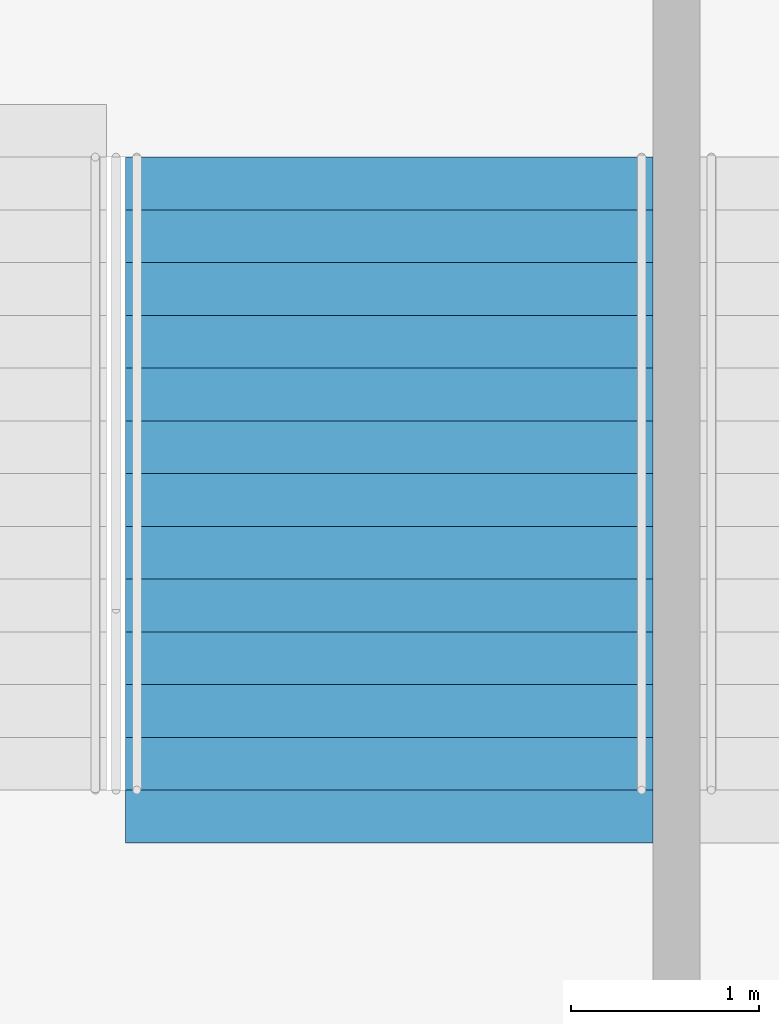
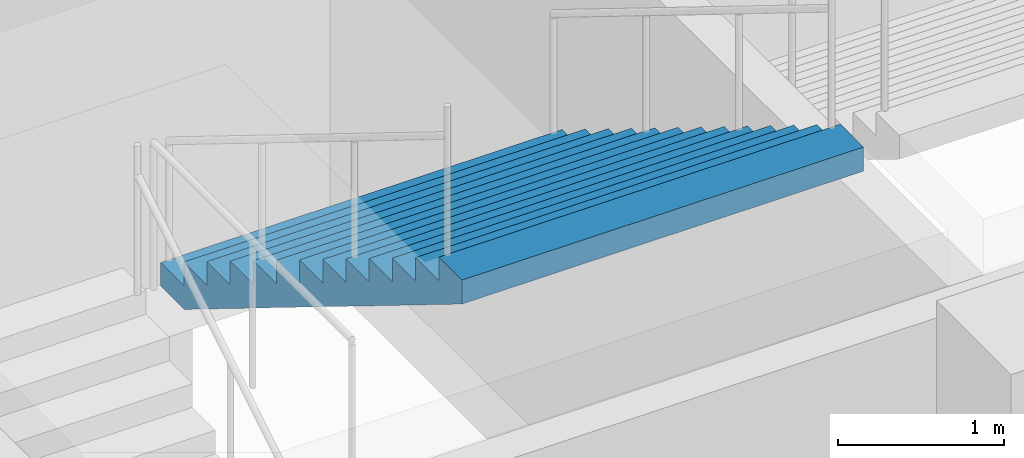
# One storey, part 208 of 249: 1 stair flight, 1 element without a shape of its own.
"""IFC4 building model written with IfcOpenShell, lengths in metres."""

from ifc_helpers import new_model, si_unit, direction, frame, origin, place, context, subcontext, project, spatial, faceted_brep, material, type_object, element, aggregate, save


model = new_model("IFC4")

# Units and contexts
model_context = context("Model", 3, precision=1e-05, world=origin(), true_north=direction((0.0, 1.0)))
body_context = subcontext(model_context, "Body", "Model", "MODEL_VIEW")
ifc_project = project(units=[si_unit("LENGTHUNIT", "METRE"), si_unit("AREAUNIT", "SQUARE_METRE"), si_unit("VOLUMEUNIT", "CUBIC_METRE"), si_unit("PLANEANGLEUNIT", "RADIAN"), si_unit("MASSUNIT", "GRAM", prefix="KILO")], contexts=[model_context])

# Site, building, storey
site_placement = place(None, origin())
site = spatial("IfcSite", under=ifc_project, at=site_placement, CompositionType="ELEMENT")
building_placement = place(site_placement, origin())
building = spatial("IfcBuilding", under=site, at=building_placement, Name="Ogive Plaza Stadium", CompositionType="ELEMENT")
storey_placement = place(building_placement, frame((0.0, 0.0, 13.5)))
storey = spatial("IfcBuildingStorey", under=building, at=storey_placement, Name="L03", CompositionType="ELEMENT", Elevation=13.5)

# Stair, stair flight
ifc_material_1 = material(Name="Concrete C40/50", Category="concrete")
stair_type = type_object("IfcStairType", Name="Exit stair", PredefinedType="STRAIGHT_RUN_STAIR", material=ifc_material_1)
stair_placement = place(storey_placement, origin())
stair = element("IfcStair", 1, at=stair_placement, inside=storey, type_object=stair_type, Name="Exit stair ST32B L03 to L04", PredefinedType="STRAIGHT_RUN_STAIR")
ifc_material_2 = material(Name="Concrete C40/50", Category="concrete")
stair_flight_type = type_object("IfcStairFlightType", Name="Exit stair flight", PredefinedType="STRAIGHT", material=ifc_material_2)
stair_flight_placement = place(storey_placement, frame((-35.52490234375, 98.2099609375, 2.25), z_axis=(0.0, 0.0, 1.0), x_axis=(0.0, -1.0, 0.0)))
stair_flight = element("IfcStairFlight", 2, at=stair_flight_placement, type_object=stair_flight_type, Name="ST32B flight 2", NumberOfRisers=13, NumberOfTreads=12, PredefinedType="STRAIGHT", RiserHeight=0.173076923, TreadLength=0.28, context=body_context, shape_type="Brep", body=[
    faceted_brep([(0.28515625, -1.39990234375, 0.0), (3.639892578125, -1.39990234375, 2.07373046875), (3.639892578125, -1.39990234375, 2.25), (3.360107421875, -1.39990234375, 2.25), (3.360107421875, -1.39990234375, 2.076904296875), (3.080078125, -1.39990234375, 2.076904296875), (3.080078125, -1.39990234375, 1.90380859375), (2.800048828125, -1.39990234375, 1.90380859375), (2.800048828125, -1.39990234375, 1.730712890625), (2.52001953125, -1.39990234375, 1.730712890625), (2.52001953125, -1.39990234375, 1.5576171875), (2.239990234375, -1.39990234375, 1.5576171875), (2.239990234375, -1.39990234375, 1.384521484375), (1.9599609375, -1.39990234375, 1.384521484375), (1.9599609375, -1.39990234375, 1.21142578125), (1.679931640625, -1.39990234375, 1.21142578125), (1.679931640625, -1.39990234375, 1.03857421875), (1.39990234375, -1.39990234375, 1.03857421875), (1.39990234375, -1.39990234375, 0.865478515625), (1.1201171875, -1.39990234375, 0.865478515625), (1.1201171875, -1.39990234375, 0.6923828125), (0.840087890625, -1.39990234375, 0.6923828125), (0.840087890625, -1.39990234375, 0.519287109375), (0.56005859375, -1.39990234375, 0.519287109375), (0.56005859375, -1.39990234375, 0.34619140625), (0.280029296875, -1.39990234375, 0.34619140625), (0.280029296875, -1.39990234375, 0.173095703125), (0.0, -1.39990234375, 0.173095703125), (0.0, -1.39990234375, 0.0), (0.0, 1.39990234375, 0.0), (0.0, 1.39990234375, 0.173095703125), (0.280029296875, 1.39990234375, 0.173095703125), (0.280029296875, 1.39990234375, 0.34619140625), (0.56005859375, 1.39990234375, 0.34619140625), (0.56005859375, 1.39990234375, 0.519287109375), (0.840087890625, 1.39990234375, 0.519287109375), (0.840087890625, 1.39990234375, 0.6923828125), (1.1201171875, 1.39990234375, 0.6923828125), (1.1201171875, 1.39990234375, 0.865478515625), (1.39990234375, 1.39990234375, 0.865478515625), (1.39990234375, 1.39990234375, 1.03857421875), (1.679931640625, 1.39990234375, 1.03857421875), (1.679931640625, 1.39990234375, 1.21142578125), (1.9599609375, 1.39990234375, 1.21142578125), (1.9599609375, 1.39990234375, 1.384521484375), (2.239990234375, 1.39990234375, 1.384521484375), (2.239990234375, 1.39990234375, 1.5576171875), (2.52001953125, 1.39990234375, 1.5576171875), (2.52001953125, 1.39990234375, 1.730712890625), (2.800048828125, 1.39990234375, 1.730712890625), (2.800048828125, 1.39990234375, 1.90380859375), (3.080078125, 1.39990234375, 1.90380859375), (3.080078125, 1.39990234375, 2.076904296875), (3.360107421875, 1.39990234375, 2.076904296875), (3.360107421875, 1.39990234375, 2.25), (3.639892578125, 1.39990234375, 2.25), (3.639892578125, 1.39990234375, 2.07373046875), (0.28515625, 1.39990234375, 0.0), (0.28515625, -1.0888671875, 0.0), (3.639892578125, -1.0888671875, 2.07373046875), (0.28515625, -0.77783203125, 0.0), (3.639892578125, -0.77783203125, 2.07373046875), (0.28515625, -0.466796875, 0.0), (3.639892578125, -0.466796875, 2.07373046875), (0.28515625, -0.155517578125, 0.0), (3.639892578125, -0.155517578125, 2.07373046875), (0.28515625, 0.155517578125, 0.0), (3.639892578125, 0.155517578125, 2.07373046875), (0.28515625, 0.466796875, 0.0), (3.639892578125, 0.466796875, 2.07373046875), (0.28515625, 0.77783203125, 0.0), (3.639892578125, 0.77783203125, 2.07373046875), (0.28515625, 1.0888671875, 0.0), (3.639892578125, 1.0888671875, 2.07373046875), (3.639892578125, -1.0888671875, 2.25), (3.639892578125, -0.77783203125, 2.25), (3.639892578125, -0.466796875, 2.25), (3.639892578125, -0.155517578125, 2.25), (3.639892578125, 0.155517578125, 2.25), (3.639892578125, 0.466796875, 2.25), (3.639892578125, 0.77783203125, 2.25), (3.639892578125, 1.0888671875, 2.25), (3.360107421875, -1.0888671875, 2.25), (3.360107421875, -0.77783203125, 2.25), (3.360107421875, -0.466796875, 2.25), (3.360107421875, -0.155517578125, 2.25), (3.360107421875, 0.155517578125, 2.25), (3.360107421875, 0.466796875, 2.25), (3.360107421875, 0.77783203125, 2.25), (3.360107421875, 1.0888671875, 2.25), (3.360107421875, -1.0888671875, 2.076904296875), (3.360107421875, -0.77783203125, 2.076904296875), (3.360107421875, -0.466796875, 2.076904296875), (3.360107421875, -0.155517578125, 2.076904296875), (3.360107421875, 0.155517578125, 2.076904296875), (3.360107421875, 0.466796875, 2.076904296875), (3.360107421875, 0.77783203125, 2.076904296875), (3.360107421875, 1.0888671875, 2.076904296875), (3.080078125, -1.0888671875, 2.076904296875), (3.080078125, -0.77783203125, 2.076904296875), (3.080078125, -0.466796875, 2.076904296875), (3.080078125, -0.155517578125, 2.076904296875), (3.080078125, 0.155517578125, 2.076904296875), (3.080078125, 0.466796875, 2.076904296875), (3.080078125, 0.77783203125, 2.076904296875), (3.080078125, 1.0888671875, 2.076904296875), (3.080078125, -1.0888671875, 1.90380859375), (3.080078125, -0.77783203125, 1.90380859375), (3.080078125, -0.466796875, 1.90380859375), (3.080078125, -0.155517578125, 1.90380859375), (3.080078125, 0.155517578125, 1.90380859375), (3.080078125, 0.466796875, 1.90380859375), (3.080078125, 0.77783203125, 1.90380859375), (3.080078125, 1.0888671875, 1.90380859375), (2.800048828125, -1.0888671875, 1.90380859375), (2.800048828125, -0.77783203125, 1.90380859375), (2.800048828125, -0.466796875, 1.90380859375), (2.800048828125, -0.155517578125, 1.90380859375), (2.800048828125, 0.155517578125, 1.90380859375), (2.800048828125, 0.466796875, 1.90380859375), (2.800048828125, 0.77783203125, 1.90380859375), (2.800048828125, 1.0888671875, 1.90380859375), (2.800048828125, -1.0888671875, 1.730712890625), (2.800048828125, -0.77783203125, 1.730712890625), (2.800048828125, -0.466796875, 1.730712890625), (2.800048828125, -0.155517578125, 1.730712890625), (2.800048828125, 0.155517578125, 1.730712890625), (2.800048828125, 0.466796875, 1.730712890625), (2.800048828125, 0.77783203125, 1.730712890625), (2.800048828125, 1.0888671875, 1.730712890625), (2.52001953125, -1.0888671875, 1.730712890625), (2.52001953125, -0.77783203125, 1.730712890625), (2.52001953125, -0.466796875, 1.730712890625), (2.52001953125, -0.155517578125, 1.730712890625), (2.52001953125, 0.155517578125, 1.730712890625), (2.52001953125, 0.466796875, 1.730712890625), (2.52001953125, 0.77783203125, 1.730712890625), (2.52001953125, 1.0888671875, 1.730712890625), (2.52001953125, -1.0888671875, 1.5576171875), (2.52001953125, -0.77783203125, 1.5576171875), (2.52001953125, -0.466796875, 1.5576171875), (2.52001953125, -0.155517578125, 1.5576171875), (2.52001953125, 0.155517578125, 1.5576171875), (2.52001953125, 0.466796875, 1.5576171875), (2.52001953125, 0.77783203125, 1.5576171875), (2.52001953125, 1.0888671875, 1.5576171875), (2.239990234375, -1.0888671875, 1.5576171875), (2.239990234375, -0.77783203125, 1.5576171875), (2.239990234375, -0.466796875, 1.5576171875), (2.239990234375, -0.155517578125, 1.5576171875), (2.239990234375, 0.155517578125, 1.5576171875), (2.239990234375, 0.466796875, 1.5576171875), (2.239990234375, 0.77783203125, 1.5576171875), (2.239990234375, 1.0888671875, 1.5576171875), (2.239990234375, -1.0888671875, 1.384521484375), (2.239990234375, -0.77783203125, 1.384521484375), (2.239990234375, -0.466796875, 1.384521484375), (2.239990234375, -0.155517578125, 1.384521484375), (2.239990234375, 0.155517578125, 1.384521484375), (2.239990234375, 0.466796875, 1.384521484375), (2.239990234375, 0.77783203125, 1.384521484375), (2.239990234375, 1.0888671875, 1.384521484375), (1.9599609375, -1.0888671875, 1.384521484375), (1.9599609375, -0.77783203125, 1.384521484375), (1.9599609375, -0.466796875, 1.384521484375), (1.9599609375, -0.155517578125, 1.384521484375), (1.9599609375, 0.155517578125, 1.384521484375), (1.9599609375, 0.466796875, 1.384521484375), (1.9599609375, 0.77783203125, 1.384521484375), (1.9599609375, 1.0888671875, 1.384521484375), (1.9599609375, -1.0888671875, 1.21142578125), (1.9599609375, -0.77783203125, 1.21142578125), (1.9599609375, -0.466796875, 1.21142578125), (1.9599609375, -0.155517578125, 1.21142578125), (1.9599609375, 0.155517578125, 1.21142578125), (1.9599609375, 0.466796875, 1.21142578125), (1.9599609375, 0.77783203125, 1.21142578125), (1.9599609375, 1.0888671875, 1.21142578125), (1.679931640625, -1.0888671875, 1.21142578125), (1.679931640625, -0.77783203125, 1.21142578125), (1.679931640625, -0.466796875, 1.21142578125), (1.679931640625, -0.155517578125, 1.21142578125), (1.679931640625, 0.155517578125, 1.21142578125), (1.679931640625, 0.466796875, 1.21142578125), (1.679931640625, 0.77783203125, 1.21142578125), (1.679931640625, 1.0888671875, 1.21142578125), (1.679931640625, -1.0888671875, 1.03857421875), (1.679931640625, -0.77783203125, 1.03857421875), (1.679931640625, -0.466796875, 1.03857421875), (1.679931640625, -0.155517578125, 1.03857421875), (1.679931640625, 0.155517578125, 1.03857421875), (1.679931640625, 0.466796875, 1.03857421875), (1.679931640625, 0.77783203125, 1.03857421875), (1.679931640625, 1.0888671875, 1.03857421875), (1.39990234375, -1.0888671875, 1.03857421875), (1.39990234375, -0.77783203125, 1.03857421875), (1.39990234375, -0.466796875, 1.03857421875), (1.39990234375, -0.155517578125, 1.03857421875), (1.39990234375, 0.155517578125, 1.03857421875), (1.39990234375, 0.466796875, 1.03857421875), (1.39990234375, 0.77783203125, 1.03857421875), (1.39990234375, 1.0888671875, 1.03857421875), (1.39990234375, -1.0888671875, 0.865478515625), (1.39990234375, -0.77783203125, 0.865478515625), (1.39990234375, -0.466796875, 0.865478515625), (1.39990234375, -0.155517578125, 0.865478515625), (1.39990234375, 0.155517578125, 0.865478515625), (1.39990234375, 0.466796875, 0.865478515625), (1.39990234375, 0.77783203125, 0.865478515625), (1.39990234375, 1.0888671875, 0.865478515625), (1.1201171875, -1.0888671875, 0.865478515625), (1.1201171875, -0.77783203125, 0.865478515625), (1.1201171875, -0.466796875, 0.865478515625), (1.1201171875, -0.155517578125, 0.865478515625), (1.1201171875, 0.155517578125, 0.865478515625), (1.1201171875, 0.466796875, 0.865478515625), (1.1201171875, 0.77783203125, 0.865478515625), (1.1201171875, 1.0888671875, 0.865478515625), (1.1201171875, -1.0888671875, 0.6923828125), (1.1201171875, -0.77783203125, 0.6923828125), (1.1201171875, -0.466796875, 0.6923828125), (1.1201171875, -0.155517578125, 0.6923828125), (1.1201171875, 0.155517578125, 0.6923828125), (1.1201171875, 0.466796875, 0.6923828125), (1.1201171875, 0.77783203125, 0.6923828125), (1.1201171875, 1.0888671875, 0.6923828125), (0.840087890625, -1.0888671875, 0.6923828125), (0.840087890625, -0.77783203125, 0.6923828125), (0.840087890625, -0.466796875, 0.6923828125), (0.840087890625, -0.155517578125, 0.6923828125), (0.840087890625, 0.155517578125, 0.6923828125), (0.840087890625, 0.466796875, 0.6923828125), (0.840087890625, 0.77783203125, 0.6923828125), (0.840087890625, 1.0888671875, 0.6923828125), (0.840087890625, -1.0888671875, 0.519287109375), (0.840087890625, -0.77783203125, 0.519287109375), (0.840087890625, -0.466796875, 0.519287109375), (0.840087890625, -0.155517578125, 0.519287109375), (0.840087890625, 0.155517578125, 0.519287109375), (0.840087890625, 0.466796875, 0.519287109375), (0.840087890625, 0.77783203125, 0.519287109375), (0.840087890625, 1.0888671875, 0.519287109375), (0.56005859375, -1.0888671875, 0.519287109375), (0.56005859375, -0.77783203125, 0.519287109375), (0.56005859375, -0.466796875, 0.519287109375), (0.56005859375, -0.155517578125, 0.519287109375), (0.56005859375, 0.155517578125, 0.519287109375), (0.56005859375, 0.466796875, 0.519287109375), (0.56005859375, 0.77783203125, 0.519287109375), (0.56005859375, 1.0888671875, 0.519287109375), (0.56005859375, -1.0888671875, 0.34619140625), (0.56005859375, -0.77783203125, 0.34619140625), (0.56005859375, -0.466796875, 0.34619140625), (0.56005859375, -0.155517578125, 0.34619140625), (0.56005859375, 0.155517578125, 0.34619140625), (0.56005859375, 0.466796875, 0.34619140625), (0.56005859375, 0.77783203125, 0.34619140625), (0.56005859375, 1.0888671875, 0.34619140625), (0.280029296875, -1.0888671875, 0.34619140625), (0.280029296875, -0.77783203125, 0.34619140625), (0.280029296875, -0.466796875, 0.34619140625), (0.280029296875, -0.155517578125, 0.34619140625), (0.280029296875, 0.155517578125, 0.34619140625), (0.280029296875, 0.466796875, 0.34619140625), (0.280029296875, 0.77783203125, 0.34619140625), (0.280029296875, 1.0888671875, 0.34619140625), (0.280029296875, -1.0888671875, 0.173095703125), (0.280029296875, -0.77783203125, 0.173095703125), (0.280029296875, -0.466796875, 0.173095703125), (0.280029296875, -0.155517578125, 0.173095703125), (0.280029296875, 0.155517578125, 0.173095703125), (0.280029296875, 0.466796875, 0.173095703125), (0.280029296875, 0.77783203125, 0.173095703125), (0.280029296875, 1.0888671875, 0.173095703125), (0.0, -1.0888671875, 0.173095703125), (0.0, -0.77783203125, 0.173095703125), (0.0, -0.466796875, 0.173095703125), (0.0, -0.155517578125, 0.173095703125), (0.0, 0.155517578125, 0.173095703125), (0.0, 0.466796875, 0.173095703125), (0.0, 0.77783203125, 0.173095703125), (0.0, 1.0888671875, 0.173095703125), (0.0, -1.0888671875, 0.0), (0.0, -0.77783203125, 0.0), (0.0, -0.466796875, 0.0), (0.0, -0.155517578125, 0.0), (0.0, 0.155517578125, 0.0), (0.0, 0.466796875, 0.0), (0.0, 0.77783203125, 0.0), (0.0, 1.0888671875, 0.0)], [[[0, 1, 2, 3, 4, 5, 6, 7, 8, 9, 10, 11, 12, 13, 14, 15, 16, 17, 18, 19, 20, 21, 22, 23, 24, 25, 26, 27, 28]], [[29, 30, 31, 32, 33, 34, 35, 36, 37, 38, 39, 40, 41, 42, 43, 44, 45, 46, 47, 48, 49, 50, 51, 52, 53, 54, 55, 56, 57]], [[0, 58, 59, 1]], [[58, 60, 61, 59]], [[60, 62, 63, 61]], [[62, 64, 65, 63]], [[64, 66, 67, 65]], [[66, 68, 69, 67]], [[68, 70, 71, 69]], [[70, 72, 73, 71]], [[72, 57, 56, 73]], [[1, 59, 74, 2]], [[59, 61, 75, 74]], [[61, 63, 76, 75]], [[63, 65, 77, 76]], [[65, 67, 78, 77]], [[67, 69, 79, 78]], [[69, 71, 80, 79]], [[71, 73, 81, 80]], [[73, 56, 55, 81]], [[2, 74, 82, 3]], [[74, 75, 83, 82]], [[75, 76, 84, 83]], [[76, 77, 85, 84]], [[77, 78, 86, 85]], [[78, 79, 87, 86]], [[79, 80, 88, 87]], [[80, 81, 89, 88]], [[81, 55, 54, 89]], [[3, 82, 90, 4]], [[82, 83, 91, 90]], [[83, 84, 92, 91]], [[84, 85, 93, 92]], [[85, 86, 94, 93]], [[86, 87, 95, 94]], [[87, 88, 96, 95]], [[88, 89, 97, 96]], [[89, 54, 53, 97]], [[4, 90, 98, 5]], [[90, 91, 99, 98]], [[91, 92, 100, 99]], [[92, 93, 101, 100]], [[93, 94, 102, 101]], [[94, 95, 103, 102]], [[95, 96, 104, 103]], [[96, 97, 105, 104]], [[97, 53, 52, 105]], [[5, 98, 106, 6]], [[98, 99, 107, 106]], [[99, 100, 108, 107]], [[100, 101, 109, 108]], [[101, 102, 110, 109]], [[102, 103, 111, 110]], [[103, 104, 112, 111]], [[104, 105, 113, 112]], [[105, 52, 51, 113]], [[6, 106, 114, 7]], [[106, 107, 115, 114]], [[107, 108, 116, 115]], [[108, 109, 117, 116]], [[109, 110, 118, 117]], [[110, 111, 119, 118]], [[111, 112, 120, 119]], [[112, 113, 121, 120]], [[113, 51, 50, 121]], [[7, 114, 122, 8]], [[114, 115, 123, 122]], [[115, 116, 124, 123]], [[116, 117, 125, 124]], [[117, 118, 126, 125]], [[118, 119, 127, 126]], [[119, 120, 128, 127]], [[120, 121, 129, 128]], [[121, 50, 49, 129]], [[8, 122, 130, 9]], [[122, 123, 131, 130]], [[123, 124, 132, 131]], [[124, 125, 133, 132]], [[125, 126, 134, 133]], [[126, 127, 135, 134]], [[127, 128, 136, 135]], [[128, 129, 137, 136]], [[129, 49, 48, 137]], [[9, 130, 138, 10]], [[130, 131, 139, 138]], [[131, 132, 140, 139]], [[132, 133, 141, 140]], [[133, 134, 142, 141]], [[134, 135, 143, 142]], [[135, 136, 144, 143]], [[136, 137, 145, 144]], [[137, 48, 47, 145]], [[10, 138, 146, 11]], [[138, 139, 147, 146]], [[139, 140, 148, 147]], [[140, 141, 149, 148]], [[141, 142, 150, 149]], [[142, 143, 151, 150]], [[143, 144, 152, 151]], [[144, 145, 153, 152]], [[145, 47, 46, 153]], [[11, 146, 154, 12]], [[146, 147, 155, 154]], [[147, 148, 156, 155]], [[148, 149, 157, 156]], [[149, 150, 158, 157]], [[150, 151, 159, 158]], [[151, 152, 160, 159]], [[152, 153, 161, 160]], [[153, 46, 45, 161]], [[12, 154, 162, 13]], [[154, 155, 163, 162]], [[155, 156, 164, 163]], [[156, 157, 165, 164]], [[157, 158, 166, 165]], [[158, 159, 167, 166]], [[159, 160, 168, 167]], [[160, 161, 169, 168]], [[161, 45, 44, 169]], [[13, 162, 170, 14]], [[162, 163, 171, 170]], [[163, 164, 172, 171]], [[164, 165, 173, 172]], [[165, 166, 174, 173]], [[166, 167, 175, 174]], [[167, 168, 176, 175]], [[168, 169, 177, 176]], [[169, 44, 43, 177]], [[14, 170, 178, 15]], [[170, 171, 179, 178]], [[171, 172, 180, 179]], [[172, 173, 181, 180]], [[173, 174, 182, 181]], [[174, 175, 183, 182]], [[175, 176, 184, 183]], [[176, 177, 185, 184]], [[177, 43, 42, 185]], [[15, 178, 186, 16]], [[178, 179, 187, 186]], [[179, 180, 188, 187]], [[180, 181, 189, 188]], [[181, 182, 190, 189]], [[182, 183, 191, 190]], [[183, 184, 192, 191]], [[184, 185, 193, 192]], [[185, 42, 41, 193]], [[16, 186, 194, 17]], [[186, 187, 195, 194]], [[187, 188, 196, 195]], [[188, 189, 197, 196]], [[189, 190, 198, 197]], [[190, 191, 199, 198]], [[191, 192, 200, 199]], [[192, 193, 201, 200]], [[193, 41, 40, 201]], [[17, 194, 202, 18]], [[194, 195, 203, 202]], [[195, 196, 204, 203]], [[196, 197, 205, 204]], [[197, 198, 206, 205]], [[198, 199, 207, 206]], [[199, 200, 208, 207]], [[200, 201, 209, 208]], [[201, 40, 39, 209]], [[18, 202, 210, 19]], [[202, 203, 211, 210]], [[203, 204, 212, 211]], [[204, 205, 213, 212]], [[205, 206, 214, 213]], [[206, 207, 215, 214]], [[207, 208, 216, 215]], [[208, 209, 217, 216]], [[209, 39, 38, 217]], [[19, 210, 218, 20]], [[210, 211, 219, 218]], [[211, 212, 220, 219]], [[212, 213, 221, 220]], [[213, 214, 222, 221]], [[214, 215, 223, 222]], [[215, 216, 224, 223]], [[216, 217, 225, 224]], [[217, 38, 37, 225]], [[20, 218, 226, 21]], [[218, 219, 227, 226]], [[219, 220, 228, 227]], [[220, 221, 229, 228]], [[221, 222, 230, 229]], [[222, 223, 231, 230]], [[223, 224, 232, 231]], [[224, 225, 233, 232]], [[225, 37, 36, 233]], [[21, 226, 234, 22]], [[226, 227, 235, 234]], [[227, 228, 236, 235]], [[228, 229, 237, 236]], [[229, 230, 238, 237]], [[230, 231, 239, 238]], [[231, 232, 240, 239]], [[232, 233, 241, 240]], [[233, 36, 35, 241]], [[22, 234, 242, 23]], [[234, 235, 243, 242]], [[235, 236, 244, 243]], [[236, 237, 245, 244]], [[237, 238, 246, 245]], [[238, 239, 247, 246]], [[239, 240, 248, 247]], [[240, 241, 249, 248]], [[241, 35, 34, 249]], [[23, 242, 250, 24]], [[242, 243, 251, 250]], [[243, 244, 252, 251]], [[244, 245, 253, 252]], [[245, 246, 254, 253]], [[246, 247, 255, 254]], [[247, 248, 256, 255]], [[248, 249, 257, 256]], [[249, 34, 33, 257]], [[24, 250, 258, 25]], [[250, 251, 259, 258]], [[251, 252, 260, 259]], [[252, 253, 261, 260]], [[253, 254, 262, 261]], [[254, 255, 263, 262]], [[255, 256, 264, 263]], [[256, 257, 265, 264]], [[257, 33, 32, 265]], [[25, 258, 266, 26]], [[258, 259, 267, 266]], [[259, 260, 268, 267]], [[260, 261, 269, 268]], [[261, 262, 270, 269]], [[262, 263, 271, 270]], [[263, 264, 272, 271]], [[264, 265, 273, 272]], [[265, 32, 31, 273]], [[26, 266, 274, 27]], [[266, 267, 275, 274]], [[267, 268, 276, 275]], [[268, 269, 277, 276]], [[269, 270, 278, 277]], [[270, 271, 279, 278]], [[271, 272, 280, 279]], [[272, 273, 281, 280]], [[273, 31, 30, 281]], [[27, 274, 282, 28]], [[274, 275, 283, 282]], [[275, 276, 284, 283]], [[276, 277, 285, 284]], [[277, 278, 286, 285]], [[278, 279, 287, 286]], [[279, 280, 288, 287]], [[280, 281, 289, 288]], [[281, 30, 29, 289]], [[28, 282, 58, 0]], [[282, 283, 60, 58]], [[283, 284, 62, 60]], [[284, 285, 64, 62]], [[285, 286, 66, 64]], [[286, 287, 68, 66]], [[287, 288, 70, 68]], [[288, 289, 72, 70]], [[289, 29, 57, 72]]]),
])
aggregate(stair, [stair_flight])

save(model, "model.ifc")
